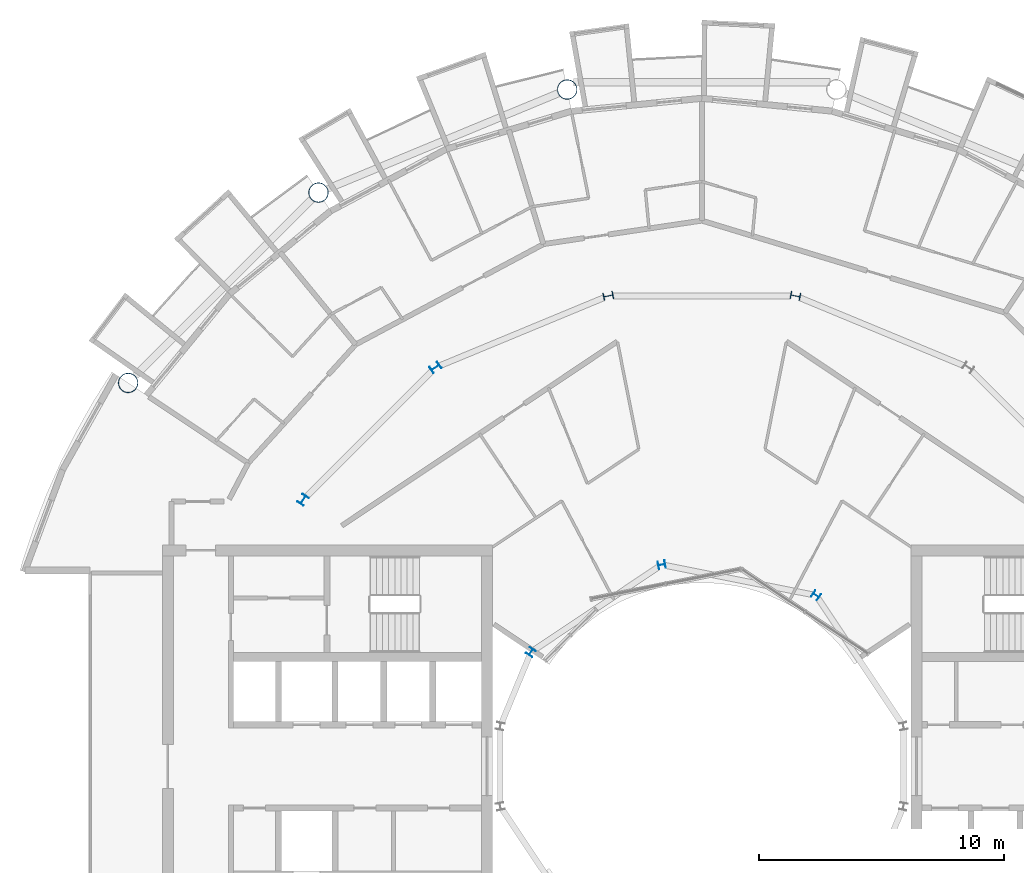
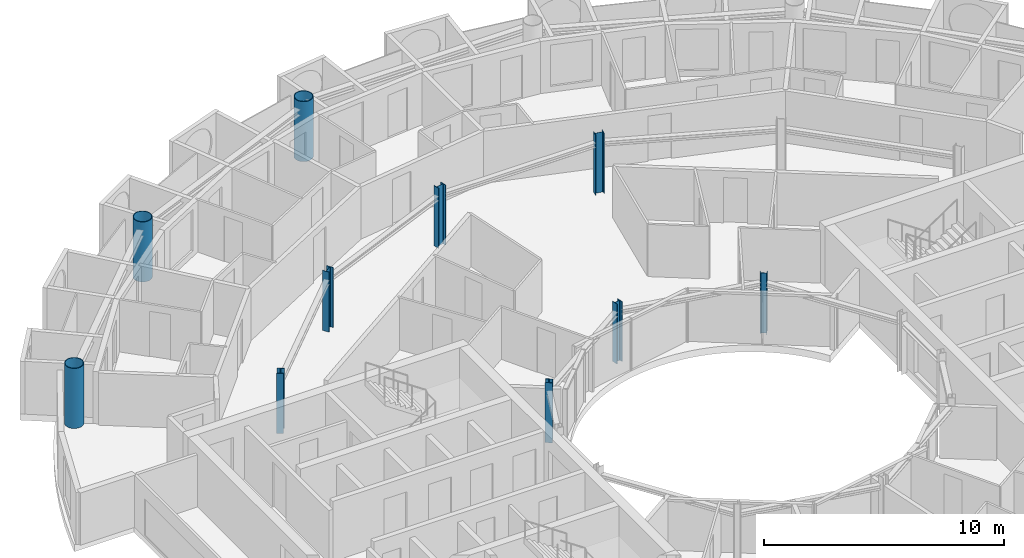
# One storey, part 4 of 28: 10 columns.
"""IFC4 building model written with IfcOpenShell, lengths in metres."""

from ifc_helpers import new_model, si_unit, direction, frame, origin, origin_2d, place, context, subcontext, project, spatial, hollow_circle, i_section, extrude, material, material_profile, profile_set, type_object, element, save


model = new_model("IFC4")

# Units and contexts
model_context = context("Model", 3, precision=1e-05, world=origin(), true_north=direction((0.0, 1.0)))
body_context = subcontext(model_context, "Body", "Model", "MODEL_VIEW")
ifc_project = project(units=[si_unit("LENGTHUNIT", "METRE"), si_unit("AREAUNIT", "SQUARE_METRE"), si_unit("VOLUMEUNIT", "CUBIC_METRE"), si_unit("PLANEANGLEUNIT", "RADIAN"), si_unit("MASSUNIT", "GRAM", prefix="KILO")], contexts=[model_context])

# Site, building, storey
site_placement = place(None, origin())
site = spatial("IfcSite", under=ifc_project, at=site_placement, CompositionType="ELEMENT")
building_placement = place(site_placement, origin())
building = spatial("IfcBuilding", under=site, at=building_placement, Name="Maasbend Ring Residences", CompositionType="ELEMENT")
storey_placement = place(building_placement, frame((0.0, 0.0, 218.800048828125)))
storey = spatial("IfcBuildingStorey", under=building, at=storey_placement, Name="L63", CompositionType="ELEMENT", Elevation=218.800048828125)

# Columns
ifc_material_1 = material(Name="Composite concrete-filled steel tube S460NH / C80/95", Category="concrete")
ifc_material_profile_1 = material_profile(ifc_material_1, hollow_circle(Radius=0.406494140625, WallThickness=0.030029296875, at=origin_2d()), Name="Composite tube column CHS 813x30")
ifc_profile_set_1 = profile_set([ifc_material_profile_1], Name="Composite concrete-filled steel tube S460NH / C80/95")
column_type_1 = type_object("IfcColumnType", Name="Composite tube column CHS 813x30", PredefinedType="COLUMN", material=ifc_profile_set_1)
for number, where, z_axis, x_axis, name in (
    (1, (-5.50146484375, 27.658203125, 0.0), (0.0, 0.0, 1.0), (1.0, 0.0, 0.0), "Outer column R5"),
    (2, (-15.6669921875, 23.447509765625, 0.0), (0.0, 0.0, 1.0), (1.0, 0.0, 0.0), "Outer column R6"),
    (3, (-23.447509765625, 15.6669921875, 0.0), (0.0, 0.0, 1.0), (1.0, 0.0, 0.0), "Outer column R7"),
):
    element("IfcColumn", number, at=place(storey_placement, frame(where, z_axis=z_axis, x_axis=x_axis)), inside=storey, type_object=column_type_1, Name=name, PredefinedType="COLUMN", context=body_context, shape_type="SweptSolid", body=[
        extrude(hollow_circle(Radius=0.406494140625, WallThickness=0.030029296875, at=origin_2d()), origin(), (0.0, 0.0, 1.0), 3.050048828125),
    ])
ifc_material_2 = material(Name="Steel S355J2", Category="steel")
ifc_material_profile_2 = material_profile(ifc_material_2, i_section(OverallWidth=0.300048828125, OverallDepth=0.2900390625, WebThickness=0.008544921875, FlangeThickness=0.013916015625, FilletRadius=0.027099609375, at=origin_2d()), Name="HEA 300")
ifc_profile_set_2 = profile_set([ifc_material_profile_2], Name="Steel S355J2")
column_type_2 = type_object("IfcColumnType", Name="Steel column HEA 300", PredefinedType="COLUMN", material=ifc_profile_set_2)
for number, where, z_axis, x_axis, name in (
    (4, (4.666748046875, 6.984375, 0.0), (0.0, 0.0, 1.0), (0.55557023302, 0.831469612303, 0.0), "Well ring column R3"),
    (5, (-1.638916015625, 8.238525390625, 0.0), (0.0, 0.0, 1.0), (-0.195090322016, 0.980785280403, 0.0), "Well ring column R5"),
    (6, (-6.984375, 4.666748046875, 0.0), (0.0, 0.0, 1.0), (-0.831469612303, 0.55557023302, 0.0), "Well ring column R7"),
):
    element("IfcColumn", number, at=place(storey_placement, frame(where, z_axis=z_axis, x_axis=x_axis)), inside=storey, type_object=column_type_2, Name=name, PredefinedType="COLUMN", context=body_context, shape_type="SweptSolid", body=[
        extrude(i_section(OverallWidth=0.300048828125, OverallDepth=0.2900390625, WebThickness=0.008544921875, FlangeThickness=0.013916015625, FilletRadius=0.027099609375, at=origin_2d()), origin(), (0.0, 0.0, 1.0), 3.050048828125),
    ])
ifc_material_3 = material(Name="Steel S355J2", Category="steel")
ifc_material_profile_3 = material_profile(ifc_material_3, i_section(OverallWidth=0.300048828125, OverallDepth=0.39990234375, WebThickness=0.013427734375, FlangeThickness=0.02392578125, FilletRadius=0.027099609375, at=origin_2d()), Name="HEB 400")
ifc_profile_set_3 = profile_set([ifc_material_profile_3], Name="Steel S355J2")
column_type_3 = type_object("IfcColumnType", Name="Steel column HEB 400", PredefinedType="COLUMN", material=ifc_profile_set_3)
for number, where, z_axis, x_axis, name in (
    (7, (3.82373046875, 19.223388671875, 0.0), (0.0, 0.0, 1.0), (0.195090322016, 0.980785280403, 0.0), "Corridor ring column R4"),
    (8, (-3.82373046875, 19.223388671875, 0.0), (0.0, 0.0, 1.0), (-0.195090322016, 0.980785280403, 0.0), "Corridor ring column R5"),
    (9, (-10.88916015625, 16.296875, 0.0), (0.0, 0.0, 1.0), (-0.55557023302, 0.831469612303, 0.0), "Corridor ring column R6"),
    (10, (-16.296875, 10.88916015625, 0.0), (0.0, 0.0, 1.0), (-0.831469612303, 0.55557023302, 0.0), "Corridor ring column R7"),
):
    element("IfcColumn", number, at=place(storey_placement, frame(where, z_axis=z_axis, x_axis=x_axis)), inside=storey, type_object=column_type_3, Name=name, PredefinedType="COLUMN", context=body_context, shape_type="SweptSolid", body=[
        extrude(i_section(OverallWidth=0.300048828125, OverallDepth=0.39990234375, WebThickness=0.013427734375, FlangeThickness=0.02392578125, FilletRadius=0.027099609375, at=origin_2d()), origin(), (0.0, 0.0, 1.0), 3.050048828125),
    ])

save(model, "model.ifc")
